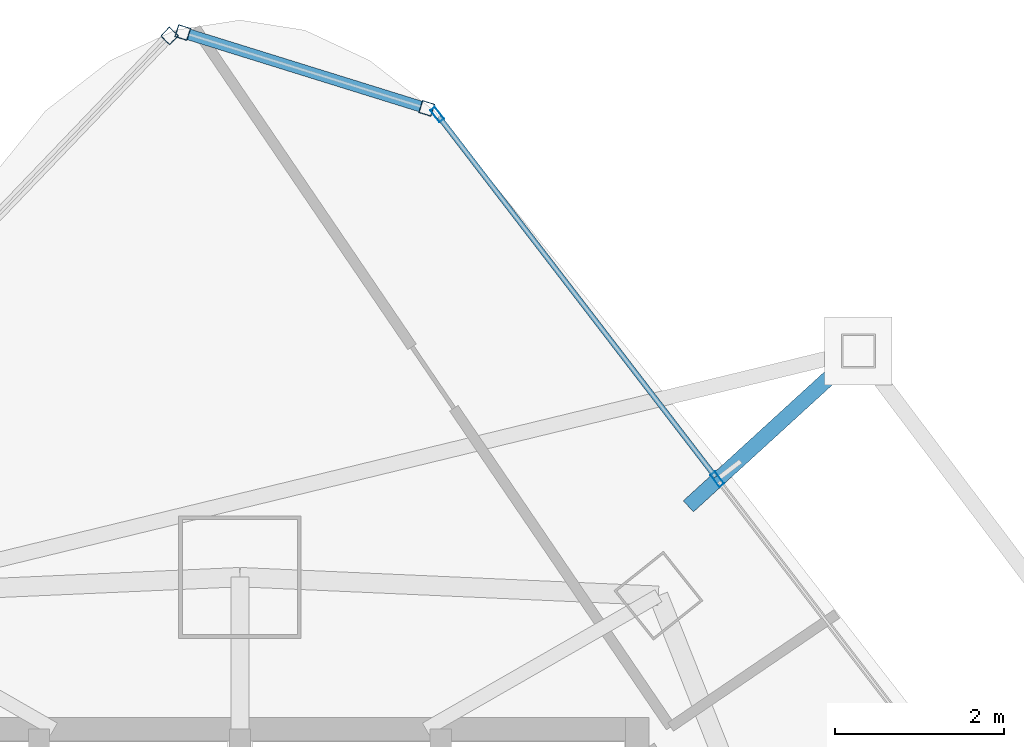
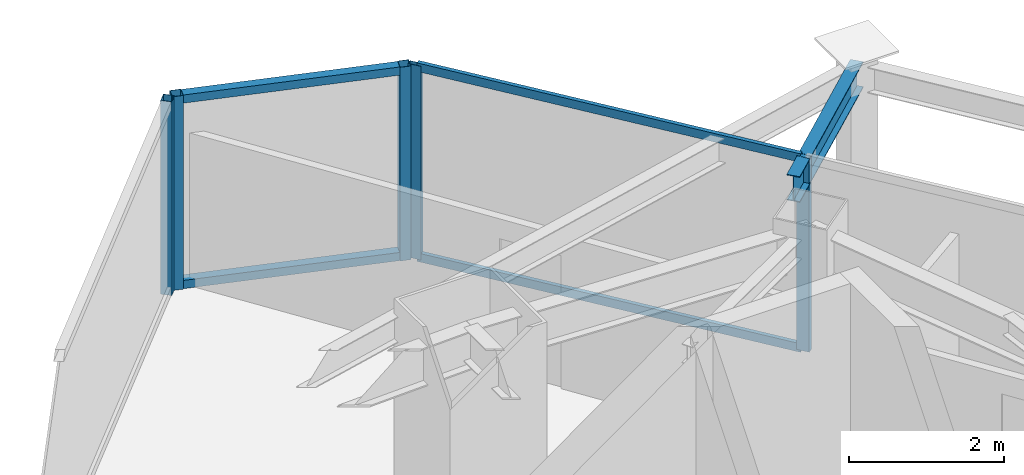
# One storey, part 21 of 29: 9 members, 1 beam, 3 elements without a shape of their own.
"""IFC4 building model written with IfcOpenShell, lengths in metres."""

from ifc_helpers import new_model, si_unit, direction, frame, origin, origin_2d, place, context, subcontext, project, spatial, hollow_rectangle, i_section, extrude, material, layer, layer_set, material_profile, profile_set, type_object, element, aggregate, save


model = new_model("IFC4")

# Units and contexts
model_context = context("Model", 3, precision=1e-05, world=origin(), true_north=direction((0.0, 1.0)))
body_context = subcontext(model_context, "Body", "Model", "MODEL_VIEW")
ifc_project = project(units=[si_unit("LENGTHUNIT", "METRE"), si_unit("AREAUNIT", "SQUARE_METRE"), si_unit("VOLUMEUNIT", "CUBIC_METRE"), si_unit("PLANEANGLEUNIT", "RADIAN"), si_unit("MASSUNIT", "GRAM", prefix="KILO")], contexts=[model_context])

# Site, building, storey
site_placement = place(None, origin())
site = spatial("IfcSite", under=ifc_project, at=site_placement, CompositionType="ELEMENT")
building_placement = place(site_placement, origin())
building = spatial("IfcBuilding", under=site, at=building_placement, Name="Orvanel Arch Residences", CompositionType="ELEMENT")
storey_placement = place(building_placement, frame((0.0, 0.0, 167.14990234375)))
storey = spatial("IfcBuildingStorey", under=building, at=storey_placement, Name="L47", CompositionType="ELEMENT", Elevation=167.14990234375)

# Curtain wall, members
ifc_material_1 = material(Name="Bronze-anodised aluminium AA6063-T6", Category="aluminium")
ifc_layer_1 = layer(ifc_material_1, 0.18994140625)
ifc_layer_set_1 = layer_set([ifc_layer_1], Name="Bronze-anodised aluminium AA6063-T6")
curtain_wall_type_1 = type_object("IfcCurtainWallType", Name="CW5-CRN-SYS", PredefinedType="NOTDEFINED", material=ifc_layer_set_1)
curtain_wall_1_placement = place(storey_placement, origin())
curtain_wall_1 = element("IfcCurtainWall", 1, at=curtain_wall_1_placement, inside=storey, type_object=curtain_wall_type_1, Name="L47 CW5-CRN-SYS Unitised Curtain Wall", PredefinedType="NOTDEFINED")
ifc_material_profile_1 = material_profile(ifc_material_1, hollow_rectangle(XDim=0.14990234375, YDim=0.14990234375, WallThickness=0.0048828125, at=origin_2d()), Name="ALU150x150x5")
ifc_profile_set_1 = profile_set([ifc_material_profile_1], Name="Bronze-anodised aluminium AA6063-T6")
member_type_1 = type_object("IfcMemberType", Name="MUL-150x150", PredefinedType="MULLION", material=ifc_profile_set_1)
member_1_placement = place(storey_placement, frame((35.20947265625, 46.9423828125, 0.0), z_axis=(0.0, 0.0, 1.0), x_axis=(-0.296964354122, -0.954888565426, 0.0)))
member_1 = element("IfcMember", 2, at=member_1_placement, type_object=member_type_1, Name="CW-S5 mullion 1", PredefinedType="MULLION", context=body_context, shape_type="SweptSolid", body=[
    extrude(hollow_rectangle(XDim=0.14990234375, YDim=0.14990234375, WallThickness=0.0048828125, at=origin_2d()), origin(), (0.0, 0.0, 1.0), 3.06005859375),
])
member_2_placement = place(storey_placement, frame((32.32373046875, 47.83984375, 0.0), z_axis=(0.0, 0.0, 1.0), x_axis=(-0.296964354122, -0.954888565426, 0.0)))
member_2 = element("IfcMember", 3, at=member_2_placement, type_object=member_type_1, Name="CW-S5 mullion 2", PredefinedType="MULLION", context=body_context, shape_type="SweptSolid", body=[
    extrude(hollow_rectangle(XDim=0.14990234375, YDim=0.14990234375, WallThickness=0.0048828125, at=origin_2d()), origin(), (0.0, 0.0, 1.0), 3.06005859375),
])

# Curtain wall, member
curtain_wall_2_placement = place(storey_placement, origin())
curtain_wall_2 = element("IfcCurtainWall", 4, at=curtain_wall_2_placement, inside=storey, type_object=curtain_wall_type_1, Name="L47 CW5-CRN-SYS Unitised Curtain Wall", PredefinedType="NOTDEFINED")
member_3_placement = place(storey_placement, frame((32.167236328125, 47.7998046875, 0.0), z_axis=(0.0, 0.0, 1.0), x_axis=(0.72235820669, -0.69151906787, 0.0)))
member_3 = element("IfcMember", 5, at=member_3_placement, type_object=member_type_1, Name="CW-S5 mullion 1", PredefinedType="MULLION", context=body_context, shape_type="SweptSolid", body=[
    extrude(hollow_rectangle(XDim=0.14990234375, YDim=0.14990234375, WallThickness=0.0048828125, at=origin_2d()), origin(), (0.0, 0.0, 1.0), 3.06005859375),
])
aggregate(curtain_wall_2, [member_3])

# Curtain wall, members
ifc_layer_2 = layer(ifc_material_1, 0.179931640625)
ifc_layer_set_2 = layer_set([ifc_layer_2], Name="Bronze-anodised aluminium AA6063-T6")
curtain_wall_type_2 = type_object("IfcCurtainWallType", Name="CW3-MID-SYS", PredefinedType="NOTDEFINED", material=ifc_layer_set_2)
curtain_wall_3_placement = place(storey_placement, origin())
curtain_wall_3 = element("IfcCurtainWall", 6, at=curtain_wall_3_placement, inside=storey, type_object=curtain_wall_type_2, Name="L47 CW3-MID-SYS Unitised Curtain Wall", PredefinedType="NOTDEFINED")
ifc_material_profile_2 = material_profile(ifc_material_1, hollow_rectangle(XDim=0.070068359375, YDim=0.179931640625, WallThickness=0.00439453125, at=origin_2d()), Name="ALU180x70x4.5")
ifc_profile_set_2 = profile_set([ifc_material_profile_2], Name="Bronze-anodised aluminium AA6063-T6")
member_type_2 = type_object("IfcMemberType", Name="MUL-180x70", PredefinedType="MULLION", material=ifc_profile_set_2)
member_4_placement = place(storey_placement, frame((38.646728515625, 42.555908203125, 0.0), z_axis=(0.0, 0.0, 1.0), x_axis=(-0.793094540336, -0.609098555317, 0.0)))
member_4 = element("IfcMember", 7, at=member_4_placement, type_object=member_type_2, Name="CW-S3 mullion 3", PredefinedType="MULLION", context=body_context, shape_type="SweptSolid", body=[
    extrude(hollow_rectangle(XDim=0.070068359375, YDim=0.179931640625, WallThickness=0.00439453125, at=origin_2d()), origin(), (0.0, 0.0, 1.0), 3.06005859375),
])
member_5_placement = place(storey_placement, frame((35.333251953125, 46.870361328125, 0.0), z_axis=(0.0, 0.0, 1.0), x_axis=(-0.793094540336, -0.609098555317, 0.0)))
member_5 = element("IfcMember", 8, at=member_5_placement, type_object=member_type_2, Name="CW-S3 mullion 4", PredefinedType="MULLION", context=body_context, shape_type="SweptSolid", body=[
    extrude(hollow_rectangle(XDim=0.070068359375, YDim=0.179931640625, WallThickness=0.00439453125, at=origin_2d()), origin(), (0.0, 0.0, 1.0), 3.06005859375),
])

# Beam
ifc_material_2 = material(Name="Structural steel AS/NZS 3679.1 Grade 300 (300 MPa)", Category="steel")
ifc_material_profile_3 = material_profile(ifc_material_2, i_section(OverallWidth=0.177978515625, OverallDepth=0.406005859375, WebThickness=0.0078125, FlangeThickness=0.0126953125, at=origin_2d()), Name="410UB59.7")
ifc_profile_set_3 = profile_set([ifc_material_profile_3], Name="Structural steel AS/NZS 3679.1 Grade 300 (300 MPa)")
beam_type = type_object("IfcBeamType", Name="OB-410UB-EXT", PredefinedType="SPANDREL", material=ifc_profile_set_3)
beam_placement = place(storey_placement, frame((38.303955078125, 42.235107421875, 2.857177734375), z_axis=(0.738161407706, 0.674624144375, 0.0), x_axis=(-0.674624144375, 0.738161407706, 0.0)))
element("IfcBeam", 9, at=beam_placement, inside=storey, type_object=beam_type, Name="L47 Outer Frame Radial Tie Beam 12", PredefinedType="SPANDREL", context=body_context, shape_type="SweptSolid", body=[
    extrude(i_section(OverallWidth=0.177978515625, OverallDepth=0.406005859375, WebThickness=0.0078125, FlangeThickness=0.0126953125, at=origin_2d()), origin(), (0.0, 0.0, 1.0), 2.724365234375),
])

# Member
ifc_material_profile_4 = material_profile(ifc_material_1, hollow_rectangle(XDim=0.1298828125, YDim=0.1298828125, WallThickness=0.00439453125, at=origin_2d()), Name="ALU130x130x4.5")
ifc_profile_set_4 = profile_set([ifc_material_profile_4], Name="Bronze-anodised aluminium AA6063-T6")
member_type_3 = type_object("IfcMemberType", Name="TRN-130x130", PredefinedType="USERDEFINED", material=ifc_profile_set_4)
member_6_placement = place(storey_placement, frame((35.1376953125, 46.964599609375, 0.065185546875), z_axis=(-0.954898027331, 0.296933927666, 0.0), x_axis=(-0.296933927666, -0.954898027331, 0.0)))
member_6 = element("IfcMember", 10, at=member_6_placement, type_object=member_type_3, Name="CW-S5 transom 1.1", ObjectType="TRANSOM", PredefinedType="USERDEFINED", context=body_context, shape_type="SweptSolid", body=[
    extrude(hollow_rectangle(XDim=0.1298828125, YDim=0.1298828125, WallThickness=0.00439453125, at=origin_2d()), origin(), (0.0, 0.0, 1.0), 2.8720703125),
])

member_7_placement = place(storey_placement, frame((35.1376953125, 46.964599609375, 2.9951171875), z_axis=(-0.954898027331, 0.296933927666, 0.0), x_axis=(-0.296933927666, -0.954898027331, 0.0)))
member_7 = element("IfcMember", 11, at=member_7_placement, type_object=member_type_3, Name="CW-S5 transom 1.2", ObjectType="TRANSOM", PredefinedType="USERDEFINED", context=body_context, shape_type="SweptSolid", body=[
    extrude(hollow_rectangle(XDim=0.1298828125, YDim=0.1298828125, WallThickness=0.00439453125, at=origin_2d()), origin(), (0.0, 0.0, 1.0), 2.8720703125),
])

aggregate(curtain_wall_1, [member_1, member_2, member_6, member_7])

ifc_material_profile_5 = material_profile(ifc_material_1, hollow_rectangle(XDim=0.06005859375, YDim=0.135009765625, WallThickness=0.00390625, at=origin_2d()), Name="ALU135x60x4")
ifc_profile_set_5 = profile_set([ifc_material_profile_5], Name="Bronze-anodised aluminium AA6063-T6")
member_type_4 = type_object("IfcMemberType", Name="TRN-135x60", PredefinedType="USERDEFINED", material=ifc_profile_set_5)
member_8_placement = place(storey_placement, frame((38.625244140625, 42.583740234375, 0.030029296875), z_axis=(-0.609068959774, 0.793117268908, 0.0), x_axis=(-0.793117268908, -0.609068959774, 0.0)))
member_8 = element("IfcMember", 12, at=member_8_placement, type_object=member_type_4, Name="CW-S3 transom 3.1", ObjectType="TRANSOM", PredefinedType="USERDEFINED", context=body_context, shape_type="SweptSolid", body=[
    extrude(hollow_rectangle(XDim=0.06005859375, YDim=0.135009765625, WallThickness=0.00390625, at=origin_2d()), origin(), (0.0, 0.0, 1.0), 5.36962890625),
])

member_9_placement = place(storey_placement, frame((38.625244140625, 42.583740234375, 3.030029296875), z_axis=(-0.609068959774, 0.793117268908, 0.0), x_axis=(-0.793117268908, -0.609068959774, 0.0)))
member_9 = element("IfcMember", 13, at=member_9_placement, type_object=member_type_4, Name="CW-S3 transom 3.2", ObjectType="TRANSOM", PredefinedType="USERDEFINED", context=body_context, shape_type="SweptSolid", body=[
    extrude(hollow_rectangle(XDim=0.06005859375, YDim=0.135009765625, WallThickness=0.00390625, at=origin_2d()), origin(), (0.0, 0.0, 1.0), 5.36962890625),
])

aggregate(curtain_wall_3, [member_4, member_5, member_8, member_9])

save(model, "model.ifc")
